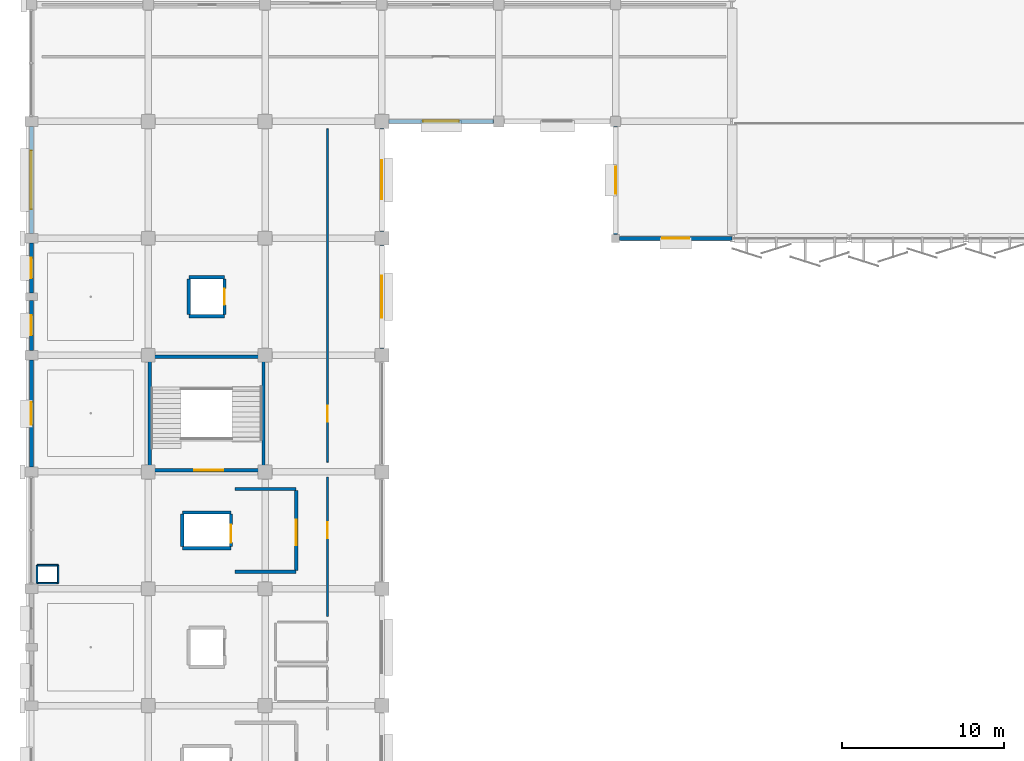
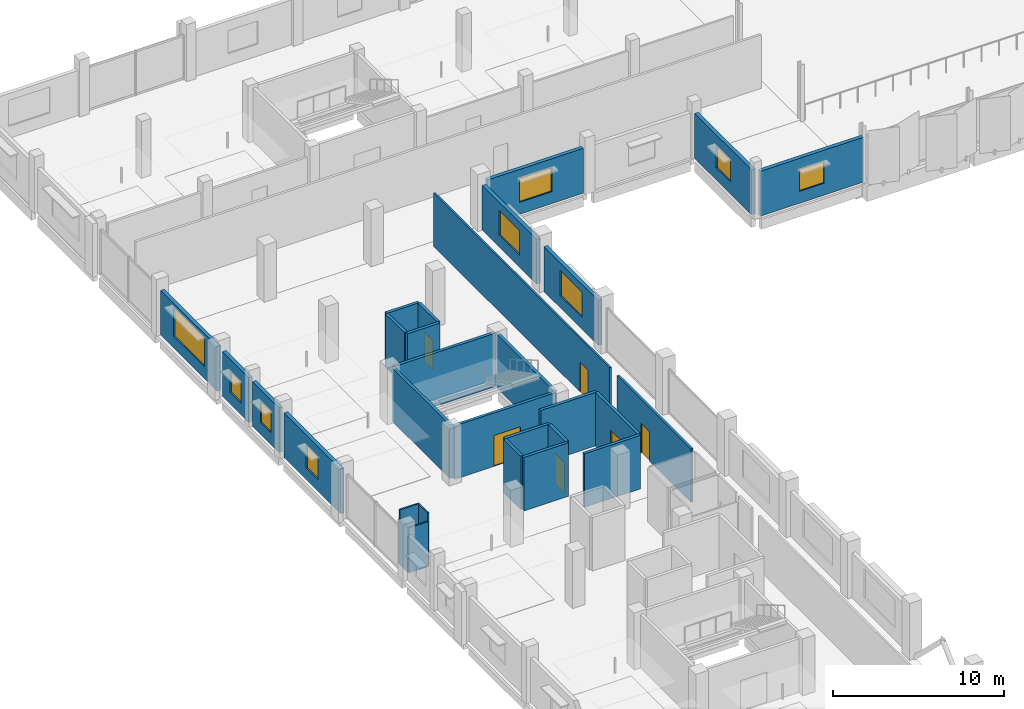
# One storey, part 80 of 107: 30 walls, 9 windows, 6 doors, 15 openings.
"""IFC4 building model written with IfcOpenShell, lengths in metres."""

from ifc_helpers import new_model, si_unit, direction, frame, frame_2d, origin, place, context, subcontext, project, spatial, rectangle, extrude, material, layer, layer_set, type_object, element, fill, save


model = new_model("IFC4")

# Units and contexts
model_context = context("Model", 3, precision=1e-05, world=origin(), true_north=direction((0.0, 1.0)))
body_context = subcontext(model_context, "Body", "Model", "MODEL_VIEW")
ifc_project = project(units=[si_unit("LENGTHUNIT", "METRE"), si_unit("AREAUNIT", "SQUARE_METRE"), si_unit("VOLUMEUNIT", "CUBIC_METRE"), si_unit("PLANEANGLEUNIT", "RADIAN"), si_unit("MASSUNIT", "GRAM", prefix="KILO")], contexts=[model_context])

# Site, building, storey
site_placement = place(None, origin())
site = spatial("IfcSite", under=ifc_project, at=site_placement, CompositionType="ELEMENT")
building_placement = place(site_placement, origin())
building = spatial("IfcBuilding", under=site, at=building_placement, Name="Kangsadwip Square Police Headquarters", CompositionType="ELEMENT")
storey_placement = place(building_placement, frame((0.0, 0.0, 5.39990234375)))
storey = spatial("IfcBuildingStorey", under=building, at=storey_placement, Name="L01", CompositionType="ELEMENT", Elevation=5.39990234375)

# Wall, opening, door
ifc_material_1 = material(Name="Fire-rated double gypsum board acoustic stud partition", Category="masonry")
ifc_layer_1 = layer(ifc_material_1, 0.1201171875)
ifc_layer_set_1 = layer_set([ifc_layer_1], Name="Fire-rated double gypsum board acoustic stud partition")
wall_type_1 = type_object("IfcWallType", Name="AcousticPartition120", PredefinedType="PARTITIONING", material=ifc_layer_set_1)
wall_1_placement = place(storey_placement, frame((18.25, 72.60009765625, 0.0), z_axis=(0.0, 0.0, 1.0), x_axis=(0.0, 1.0, 0.0)))
wall_1 = element("IfcWall", 1, at=wall_1_placement, inside=storey, type_object=wall_type_1, Name="Interior Wall WI-L01-0740", PredefinedType="PARTITIONING", context=body_context, shape_type="SweptSolid", body=[
    extrude(rectangle(XDim=20.5498046875, YDim=0.1201171875, at=frame_2d((10.27490234375, 0.0))), origin(), (0.0, 0.0, 1.0), 3.81005859375),
])
opening_1_placement = place(wall_1_placement, frame((2.508056640625, 0.0, 0.0)))
opening_1 = element("IfcOpeningElement", 2, at=opening_1_placement, cuts=wall_1, Name="Opening ID-09A", PredefinedType="OPENING", context=body_context, shape_type="SweptSolid", body=[
    extrude(rectangle(XDim=0.97998046875, YDim=2.10009765625, at=frame_2d((0.489990234375, 1.050048828125))), frame((0.0, 0.070068359375, 0.0), z_axis=(0.0, -1.0, 0.0), x_axis=(1.0, 0.0, 0.0)), (0.0, 0.0, 1.0), 0.14013671875),
])
ifc_material_2 = material(Name="Solid-core seasoned teak hardwood architectural door", Category="wood")
door_type_1 = type_object("IfcDoorType", Name="OfficeDoor980x2100", OperationType="NOTDEFINED", PredefinedType="DOOR", material=ifc_material_2)
door_1_placement = place(opening_1_placement, origin())
door_1 = element("IfcDoor", 3, at=door_1_placement, inside=storey, type_object=door_type_1, Name="Interior Door ID-L01-0169", OperationType="SINGLE_SWING_RIGHT", OverallHeight=2.10009765625, OverallWidth=0.97998046875, PredefinedType="DOOR", context=body_context, shape_type="SweptSolid", body=[
    extrude(rectangle(XDim=0.97998046875, YDim=2.10009765625, at=frame_2d((0.489990234375, 1.050048828125))), frame((0.0, 0.02490234375, 0.0), z_axis=(0.0, -1.0, 0.0), x_axis=(1.0, 0.0, 0.0)), (0.0, 0.0, 1.0), 0.050048828125),
])
fill(opening_1, door_1)

ifc_material_3 = material(Name="Autoclaved aerated concrete blockwork masonry", Category="masonry")
ifc_layer_2 = layer(ifc_material_3, 0.14990234375)
ifc_layer_set_2 = layer_set([ifc_layer_2], Name="Autoclaved aerated concrete blockwork masonry")
wall_type_2 = type_object("IfcWallType", Name="BlockPartition150", PredefinedType="PARTITIONING", material=ifc_layer_set_2)
wall_2_placement = place(storey_placement, frame((18.25, 63.080078125, 0.0), z_axis=(0.0, 0.0, 1.0), x_axis=(0.0, 1.0, 0.0)))
wall_2 = element("IfcWall", 4, at=wall_2_placement, inside=storey, type_object=wall_type_2, Name="Interior Wall WI-L01-0738", PredefinedType="PARTITIONING", context=body_context, shape_type="SweptSolid", body=[
    extrude(rectangle(XDim=8.619873046875, YDim=0.14990234375, at=frame_2d((4.31005859375, 0.0))), origin(), (0.0, 0.0, 1.0), 3.81005859375),
])
opening_2_placement = place(wall_2_placement, frame((4.826904296875, 0.0, 0.0)))
opening_2 = element("IfcOpeningElement", 5, at=opening_2_placement, cuts=wall_2, Name="Opening ID-10B", PredefinedType="OPENING", context=body_context, shape_type="SweptSolid", body=[
    extrude(rectangle(XDim=1.0, YDim=2.10009765625, at=frame_2d((0.5, 1.050048828125))), frame((0.0, 0.0849609375, 0.0), z_axis=(0.0, -1.0, 0.0), x_axis=(1.0, 0.0, 0.0)), (0.0, 0.0, 1.0), 0.169921875),
])
ifc_material_4 = material(Name="Solid-core seasoned teak hardwood architectural door", Category="wood")
door_type_2 = type_object("IfcDoorType", Name="OfficeDoor1000x2100", OperationType="NOTDEFINED", PredefinedType="DOOR", material=ifc_material_4)
door_2_placement = place(opening_2_placement, origin())
door_2 = element("IfcDoor", 6, at=door_2_placement, inside=storey, type_object=door_type_2, Name="Interior Door ID-L01-0168", OperationType="SINGLE_SWING_LEFT", OverallHeight=2.10009765625, OverallWidth=1.0, PredefinedType="DOOR", context=body_context, shape_type="SweptSolid", body=[
    extrude(rectangle(XDim=1.0, YDim=2.10009765625, at=frame_2d((0.5, 1.050048828125))), frame((0.0, 0.02490234375, 0.0), z_axis=(0.0, -1.0, 0.0), x_axis=(1.0, 0.0, 0.0)), (0.0, 0.0, 1.0), 0.050048828125),
])
fill(opening_2, door_2)

# Wall, opening, window
ifc_material_5 = material(Name="Glazed architectural terracotta masonry rainscreen", Category="masonry")
ifc_layer_3 = layer(ifc_material_5, 0.25)
ifc_layer_set_3 = layer_set([ifc_layer_3], Name="Glazed architectural terracotta masonry rainscreen")
wall_type_3 = type_object("IfcWallType", Name="ChicagoTerracottaWall250", PredefinedType="SOLIDWALL", material=ifc_layer_set_3)
wall_3_placement = place(storey_placement, frame((36.2451171875, 86.39990234375, 0.0), z_axis=(0.0, 0.0, 1.0), x_axis=(1.0, 0.0, 0.0)))
wall_3 = element("IfcWall", 7, at=wall_3_placement, inside=storey, type_object=wall_type_3, Name="Exterior Wall WE-L01-236", PredefinedType="SOLIDWALL", context=body_context, shape_type="SweptSolid", body=[
    extrude(rectangle(XDim=6.94482421875, YDim=0.25, at=frame_2d((3.472412109375, 0.0))), origin(), (0.0, 0.0, 1.0), 3.2001953125),
])
opening_3_placement = place(wall_3_placement, frame((2.6474609375, 0.0, 0.85009765625)))
opening_3 = element("IfcOpeningElement", 8, at=opening_3_placement, cuts=wall_3, Name="Opening WN-11", PredefinedType="OPENING", context=body_context, shape_type="SweptSolid", body=[
    extrude(rectangle(XDim=1.64990234375, YDim=1.550048828125, at=frame_2d((0.824951171875, 0.77490234375))), frame((0.0, 0.135009765625, 0.0), z_axis=(0.0, -1.0, 0.0), x_axis=(1.0, 0.0, 0.0)), (0.0, 0.0, 1.0), 0.27001953125),
])
ifc_material_6 = material(Name="Double-glazed solar-control low-E safety glass", Category="glass")
window_type_1 = type_object("IfcWindowType", Name="LabCleanViewWin1650x1550", PartitioningType="SINGLE_PANEL", PredefinedType="WINDOW", material=ifc_material_6)
window_1_placement = place(opening_3_placement, origin())
window_1 = element("IfcWindow", 9, at=window_1_placement, inside=storey, type_object=window_type_1, Name="Window WN-L01-0089", OverallHeight=1.550048828125, OverallWidth=1.64990234375, PartitioningType="SINGLE_PANEL", PredefinedType="WINDOW", context=body_context, shape_type="SweptSolid", body=[
    extrude(rectangle(XDim=1.64990234375, YDim=1.550048828125, at=frame_2d((0.824951171875, 0.77490234375))), frame((0.0, 0.030029296875, 0.0), z_axis=(0.0, -1.0, 0.0), x_axis=(1.0, 0.0, 0.0)), (0.0, 0.0, 1.0), 0.06005859375),
])
fill(opening_3, window_1)

wall_4_placement = place(storey_placement, frame((22.02001953125, 93.60009765625, 0.0), z_axis=(0.0, 0.0, 1.0), x_axis=(1.0, 0.0, 0.0)))
wall_4 = element("IfcWall", 10, at=wall_4_placement, inside=storey, type_object=wall_type_3, Name="Exterior Wall WE-L01-237", PredefinedType="SOLIDWALL", context=body_context, shape_type="SweptSolid", body=[
    extrude(rectangle(XDim=6.4599609375, YDim=0.25, at=frame_2d((3.22998046875, 0.0))), origin(), (0.0, 0.0, 1.0), 3.195068359375),
])
opening_4_placement = place(wall_4_placement, frame((2.1298828125, 0.0, 0.85009765625)))
opening_4 = element("IfcOpeningElement", 11, at=opening_4_placement, cuts=wall_4, Name="Opening WN-08", PredefinedType="OPENING", context=body_context, shape_type="SweptSolid", body=[
    extrude(rectangle(XDim=2.199951171875, YDim=1.699951171875, at=frame_2d((1.10009765625, 0.85009765625))), frame((0.0, 0.135009765625, 0.0), z_axis=(0.0, -1.0, 0.0), x_axis=(1.0, 0.0, 0.0)), (0.0, 0.0, 1.0), 0.27001953125),
])
ifc_material_7 = material(Name="Double-glazed solar-control low-E safety glass", Category="glass")
window_type_2 = type_object("IfcWindowType", Name="ChicagoDoubleMullWin2200x1700", PartitioningType="DOUBLE_PANEL_VERTICAL", PredefinedType="WINDOW", material=ifc_material_7)
window_2_placement = place(opening_4_placement, origin())
window_2 = element("IfcWindow", 12, at=window_2_placement, inside=storey, type_object=window_type_2, Name="Window WN-L01-0090", OverallHeight=1.699951171875, OverallWidth=2.199951171875, PartitioningType="SINGLE_PANEL", PredefinedType="WINDOW", context=body_context, shape_type="SweptSolid", body=[
    extrude(rectangle(XDim=2.199951171875, YDim=1.699951171875, at=frame_2d((1.10009765625, 0.85009765625))), frame((0.0, 0.030029296875, 0.0), z_axis=(0.0, -1.0, 0.0), x_axis=(1.0, 0.0, 0.0)), (0.0, 0.0, 1.0), 0.06005859375),
])
fill(opening_4, window_2)

wall_5_placement = place(storey_placement, frame((0.0, 72.294921875, 0.0), z_axis=(0.0, 0.0, 1.0), x_axis=(0.0, 1.0, 0.0)))
wall_5 = element("IfcWall", 13, at=wall_5_placement, inside=storey, type_object=wall_type_3, Name="Exterior Wall WE-L01-255", PredefinedType="SOLIDWALL", context=body_context, shape_type="SweptSolid", body=[
    extrude(rectangle(XDim=6.610107421875, YDim=0.25, at=frame_2d((3.30517578125, 0.0))), origin(), (0.0, 0.0, 1.0), 3.195068359375),
])
opening_5_placement = place(wall_5_placement, frame((2.60498046875, 0.0, 0.85009765625)))
opening_5 = element("IfcOpeningElement", 14, at=opening_5_placement, cuts=wall_5, Name="Opening WN-13", PredefinedType="OPENING", context=body_context, shape_type="SweptSolid", body=[
    extrude(rectangle(XDim=1.39990234375, YDim=1.60009765625, at=frame_2d((0.699951171875, 0.800048828125))), frame((0.0, 0.135009765625, 0.0), z_axis=(0.0, -1.0, 0.0), x_axis=(1.0, 0.0, 0.0)), (0.0, 0.0, 1.0), 0.27001953125),
])
ifc_material_8 = material(Name="Double-glazed solar-control low-E safety glass", Category="glass")
window_type_3 = type_object("IfcWindowType", Name="OfficeCasementWin1400x1600", PartitioningType="SINGLE_PANEL", PredefinedType="WINDOW", material=ifc_material_8)
window_3_placement = place(opening_5_placement, origin())
window_3 = element("IfcWindow", 15, at=window_3_placement, inside=storey, type_object=window_type_3, Name="Window WN-L01-0108", OverallHeight=1.60009765625, OverallWidth=1.39990234375, PartitioningType="SINGLE_PANEL", PredefinedType="WINDOW", context=body_context, shape_type="SweptSolid", body=[
    extrude(rectangle(XDim=1.39990234375, YDim=1.60009765625, at=frame_2d((0.699951171875, 0.800048828125))), frame((0.0, 0.030029296875, 0.0), z_axis=(0.0, -1.0, 0.0), x_axis=(1.0, 0.0, 0.0)), (0.0, 0.0, 1.0), 0.06005859375),
])
fill(opening_5, window_3)

wall_6_placement = place(storey_placement, frame((0.0, 79.4951171875, 0.0), z_axis=(0.0, 0.0, 1.0), x_axis=(0.0, 1.0, 0.0)))
wall_6 = element("IfcWall", 16, at=wall_6_placement, inside=storey, type_object=wall_type_3, Name="Exterior Wall WE-L01-256", PredefinedType="SOLIDWALL", context=body_context, shape_type="SweptSolid", body=[
    extrude(rectangle(XDim=3.0849609375, YDim=0.25, at=frame_2d((1.54248046875, 0.0))), origin(), (0.0, 0.0, 1.0), 3.195068359375),
])
opening_6_placement = place(wall_6_placement, frame((0.91748046875, 0.0, 0.85009765625)))
opening_6 = element("IfcOpeningElement", 17, at=opening_6_placement, cuts=wall_6, Name="Opening WN-14", PredefinedType="OPENING", context=body_context, shape_type="SweptSolid", body=[
    extrude(rectangle(XDim=1.25, YDim=1.5, at=frame_2d((0.625, 0.75))), frame((0.0, 0.135009765625, 0.0), z_axis=(0.0, -1.0, 0.0), x_axis=(1.0, 0.0, 0.0)), (0.0, 0.0, 1.0), 0.27001953125),
])
ifc_material_9 = material(Name="Double-glazed solar-control low-E safety glass", Category="glass")
window_type_4 = type_object("IfcWindowType", Name="OfficeCasementWin1250x1500", PartitioningType="SINGLE_PANEL", PredefinedType="WINDOW", material=ifc_material_9)
window_4_placement = place(opening_6_placement, origin())
window_4 = element("IfcWindow", 18, at=window_4_placement, inside=storey, type_object=window_type_4, Name="Window WN-L01-0109", OverallHeight=1.5, OverallWidth=1.25, PartitioningType="SINGLE_PANEL", PredefinedType="WINDOW", context=body_context, shape_type="SweptSolid", body=[
    extrude(rectangle(XDim=1.25, YDim=1.5, at=frame_2d((0.625, 0.75))), frame((0.0, 0.030029296875, 0.0), z_axis=(0.0, -1.0, 0.0), x_axis=(1.0, 0.0, 0.0)), (0.0, 0.0, 1.0), 0.06005859375),
])
fill(opening_6, window_4)

wall_7_placement = place(storey_placement, frame((0.0, 83.02001953125, 0.0), z_axis=(0.0, 0.0, 1.0), x_axis=(0.0, 1.0, 0.0)))
wall_7 = element("IfcWall", 19, at=wall_7_placement, inside=storey, type_object=wall_type_3, Name="Exterior Wall WE-L01-257", PredefinedType="SOLIDWALL", context=body_context, shape_type="SweptSolid", body=[
    extrude(rectangle(XDim=3.0849609375, YDim=0.25, at=frame_2d((1.54248046875, 0.0))), origin(), (0.0, 0.0, 1.0), 3.195068359375),
])
opening_7_placement = place(wall_7_placement, frame((0.91748046875, 0.0, 0.85009765625)))
opening_7 = element("IfcOpeningElement", 20, at=opening_7_placement, cuts=wall_7, Name="Opening WN-14", PredefinedType="OPENING", context=body_context, shape_type="SweptSolid", body=[
    extrude(rectangle(XDim=1.25, YDim=1.5, at=frame_2d((0.625, 0.75))), frame((0.0, 0.135009765625, 0.0), z_axis=(0.0, -1.0, 0.0), x_axis=(1.0, 0.0, 0.0)), (0.0, 0.0, 1.0), 0.27001953125),
])
window_5_placement = place(opening_7_placement, origin())
window_5 = element("IfcWindow", 21, at=window_5_placement, inside=storey, type_object=window_type_4, Name="Window WN-L01-0110", OverallHeight=1.5, OverallWidth=1.25, PartitioningType="SINGLE_PANEL", PredefinedType="WINDOW", context=body_context, shape_type="SweptSolid", body=[
    extrude(rectangle(XDim=1.25, YDim=1.5, at=frame_2d((0.625, 0.75))), frame((0.0, 0.030029296875, 0.0), z_axis=(0.0, -1.0, 0.0), x_axis=(1.0, 0.0, 0.0)), (0.0, 0.0, 1.0), 0.06005859375),
])
fill(opening_7, window_5)

wall_8_placement = place(storey_placement, frame((0.0, 86.695068359375, 0.0), z_axis=(0.0, 0.0, 1.0), x_axis=(0.0, 1.0, 0.0)))
wall_8 = element("IfcWall", 22, at=wall_8_placement, inside=storey, type_object=wall_type_3, Name="Exterior Wall WE-L01-258", PredefinedType="SOLIDWALL", context=body_context, shape_type="SweptSolid", body=[
    extrude(rectangle(XDim=6.60986328125, YDim=0.25, at=frame_2d((3.304931640625, 0.0))), origin(), (0.0, 0.0, 1.0), 3.195068359375),
])
opening_8_placement = place(wall_8_placement, frame((1.5048828125, 0.0, 0.85009765625)))
opening_8 = element("IfcOpeningElement", 23, at=opening_8_placement, cuts=wall_8, Name="Opening WN-01", PredefinedType="OPENING", context=body_context, shape_type="SweptSolid", body=[
    extrude(rectangle(XDim=3.60009765625, YDim=2.050048828125, at=frame_2d((1.800048828125, 1.02490234375))), frame((0.0, 0.135009765625, 0.0), z_axis=(0.0, -1.0, 0.0), x_axis=(1.0, 0.0, 0.0)), (0.0, 0.0, 1.0), 0.27001953125),
])
ifc_material_10 = material(Name="Double-glazed solar-control low-E safety glass", Category="glass")
window_type_5 = type_object("IfcWindowType", Name="ChicagoTripartiteWin3600x2050", PartitioningType="TRIPLE_PANEL_HORIZONTAL", PredefinedType="WINDOW", material=ifc_material_10)
window_6_placement = place(opening_8_placement, origin())
window_6 = element("IfcWindow", 24, at=window_6_placement, inside=storey, type_object=window_type_5, Name="Window WN-L01-0111", OverallHeight=2.050048828125, OverallWidth=3.60009765625, PartitioningType="SINGLE_PANEL", PredefinedType="WINDOW", context=body_context, shape_type="SweptSolid", body=[
    extrude(rectangle(XDim=3.60009765625, YDim=2.050048828125, at=frame_2d((1.800048828125, 1.02490234375))), frame((0.0, 0.030029296875, 0.0), z_axis=(0.0, -1.0, 0.0), x_axis=(1.0, 0.0, 0.0)), (0.0, 0.0, 1.0), 0.06005859375),
])
fill(opening_8, window_6)

wall_9_placement = place(storey_placement, frame((21.60009765625, 79.6201171875, 0.0), z_axis=(0.0, 0.0, 1.0), x_axis=(0.0, 1.0, 0.0)))
wall_9 = element("IfcWall", 25, at=wall_9_placement, inside=storey, type_object=wall_type_3, Name="Exterior Wall WE-L01-266", PredefinedType="SOLIDWALL", context=body_context, shape_type="SweptSolid", body=[
    extrude(rectangle(XDim=6.35986328125, YDim=0.25, at=frame_2d((3.179931640625, 0.0))), origin(), (0.0, 0.0, 1.0), 3.195068359375),
])
opening_9_placement = place(wall_9_placement, frame((1.8798828125, 0.0, 0.85009765625)))
opening_9 = element("IfcOpeningElement", 26, at=opening_9_placement, cuts=wall_9, Name="Opening WN-06", PredefinedType="OPENING", context=body_context, shape_type="SweptSolid", body=[
    extrude(rectangle(XDim=2.60009765625, YDim=1.800048828125, at=frame_2d((1.300048828125, 0.89990234375))), frame((0.0, 0.135009765625, 0.0), z_axis=(0.0, -1.0, 0.0), x_axis=(1.0, 0.0, 0.0)), (0.0, 0.0, 1.0), 0.27001953125),
])
ifc_material_11 = material(Name="Double-glazed solar-control low-E safety glass", Category="glass")
window_type_6 = type_object("IfcWindowType", Name="ChicagoDoubleMullWin2600x1800", PartitioningType="DOUBLE_PANEL_VERTICAL", PredefinedType="WINDOW", material=ifc_material_11)
window_7_placement = place(opening_9_placement, origin())
window_7 = element("IfcWindow", 27, at=window_7_placement, inside=storey, type_object=window_type_6, Name="Window WN-L01-0119", OverallHeight=1.800048828125, OverallWidth=2.60009765625, PartitioningType="SINGLE_PANEL", PredefinedType="WINDOW", context=body_context, shape_type="SweptSolid", body=[
    extrude(rectangle(XDim=2.60009765625, YDim=1.800048828125, at=frame_2d((1.300048828125, 0.89990234375))), frame((0.0, 0.030029296875, 0.0), z_axis=(0.0, -1.0, 0.0), x_axis=(1.0, 0.0, 0.0)), (0.0, 0.0, 1.0), 0.06005859375),
])
fill(opening_9, window_7)

wall_10_placement = place(storey_placement, frame((21.60009765625, 86.820068359375, 0.0), z_axis=(0.0, 0.0, 1.0), x_axis=(0.0, 1.0, 0.0)))
wall_10 = element("IfcWall", 28, at=wall_10_placement, inside=storey, type_object=wall_type_3, Name="Exterior Wall WE-L01-267", PredefinedType="SOLIDWALL", context=body_context, shape_type="SweptSolid", body=[
    extrude(rectangle(XDim=6.35986328125, YDim=0.25, at=frame_2d((3.179931640625, 0.0))), origin(), (0.0, 0.0, 1.0), 3.195068359375),
])
opening_10_placement = place(wall_10_placement, frame((1.97998046875, 0.0, 0.85009765625)))
opening_10 = element("IfcOpeningElement", 29, at=opening_10_placement, cuts=wall_10, Name="Opening WN-07", PredefinedType="OPENING", context=body_context, shape_type="SweptSolid", body=[
    extrude(rectangle(XDim=2.39990234375, YDim=1.75, at=frame_2d((1.199951171875, 0.875))), frame((0.0, 0.135009765625, 0.0), z_axis=(0.0, -1.0, 0.0), x_axis=(1.0, 0.0, 0.0)), (0.0, 0.0, 1.0), 0.27001953125),
])
ifc_material_12 = material(Name="Double-glazed solar-control low-E safety glass", Category="glass")
window_type_7 = type_object("IfcWindowType", Name="ChicagoDoubleMullWin2400x1750", PartitioningType="DOUBLE_PANEL_VERTICAL", PredefinedType="WINDOW", material=ifc_material_12)
window_8_placement = place(opening_10_placement, origin())
window_8 = element("IfcWindow", 30, at=window_8_placement, inside=storey, type_object=window_type_7, Name="Window WN-L01-0120", OverallHeight=1.75, OverallWidth=2.39990234375, PartitioningType="SINGLE_PANEL", PredefinedType="WINDOW", context=body_context, shape_type="SweptSolid", body=[
    extrude(rectangle(XDim=2.39990234375, YDim=1.75, at=frame_2d((1.199951171875, 0.875))), frame((0.0, 0.030029296875, 0.0), z_axis=(0.0, -1.0, 0.0), x_axis=(1.0, 0.0, 0.0)), (0.0, 0.0, 1.0), 0.06005859375),
])
fill(opening_10, window_8)

wall_11_placement = place(storey_placement, frame((36.0, 86.64501953125, 0.0), z_axis=(0.0, 0.0, 1.0), x_axis=(0.0, 1.0, 0.0)))
wall_11 = element("IfcWall", 31, at=wall_11_placement, inside=storey, type_object=wall_type_3, Name="Exterior Wall WE-L01-270", PredefinedType="SOLIDWALL", context=body_context, shape_type="SweptSolid", body=[
    extrude(rectangle(XDim=6.659912109375, YDim=0.25, at=frame_2d((3.330078125, 0.0))), origin(), (0.0, 0.0, 1.0), 3.2001953125),
])
opening_11_placement = place(wall_11_placement, frame((2.5048828125, 0.0, 0.85009765625)))
opening_11 = element("IfcOpeningElement", 32, at=opening_11_placement, cuts=wall_11, Name="Opening WN-11", PredefinedType="OPENING", context=body_context, shape_type="SweptSolid", body=[
    extrude(rectangle(XDim=1.64990234375, YDim=1.550048828125, at=frame_2d((0.824951171875, 0.77490234375))), frame((0.0, 0.135009765625, 0.0), z_axis=(0.0, -1.0, 0.0), x_axis=(1.0, 0.0, 0.0)), (0.0, 0.0, 1.0), 0.27001953125),
])
window_9_placement = place(opening_11_placement, origin())
window_9 = element("IfcWindow", 33, at=window_9_placement, inside=storey, type_object=window_type_1, Name="Window WN-L01-0123", OverallHeight=1.550048828125, OverallWidth=1.64990234375, PartitioningType="SINGLE_PANEL", PredefinedType="WINDOW", context=body_context, shape_type="SweptSolid", body=[
    extrude(rectangle(XDim=1.64990234375, YDim=1.550048828125, at=frame_2d((0.824951171875, 0.77490234375))), frame((0.0, 0.030029296875, 0.0), z_axis=(0.0, -1.0, 0.0), x_axis=(1.0, 0.0, 0.0)), (0.0, 0.0, 1.0), 0.06005859375),
])
fill(opening_11, window_9)

# Wall, opening, door
ifc_material_13 = material(Name="Concrete M40 (40 MPa)", Category="concrete")
ifc_layer_4 = layer(ifc_material_13, 0.199951171875)
ifc_layer_set_4 = layer_set([ifc_layer_4], Name="Concrete M40 (40 MPa)")
wall_type_4 = type_object("IfcWallType", Name="CoreShearWall200", PredefinedType="SHEAR", material=ifc_layer_set_4)
wall_12_placement = place(storey_placement, frame((7.39990234375, 72.10009765625, 0.0), z_axis=(0.0, 0.0, 1.0), x_axis=(1.0, 0.0, 0.0)))
wall_12 = element("IfcWall", 34, at=wall_12_placement, inside=storey, type_object=wall_type_4, Name="Interior Wall WI-L01-0057", PredefinedType="SHEAR", context=body_context, shape_type="SweptSolid", body=[
    extrude(rectangle(XDim=6.800048828125, YDim=0.199951171875, at=frame_2d((3.39990234375, 0.0))), origin(), (0.0, 0.0, 1.0), 3.81005859375),
])
opening_12_placement = place(wall_12_placement, frame((2.632080078125, 0.0, 0.0)))
opening_12 = element("IfcOpeningElement", 35, at=opening_12_placement, cuts=wall_12, Name="Opening FD-18", PredefinedType="OPENING", context=body_context, shape_type="SweptSolid", body=[
    extrude(rectangle(XDim=1.800048828125, YDim=2.199951171875, at=frame_2d((0.89990234375, 1.10009765625))), frame((0.0, 0.10986328125, 0.0), z_axis=(0.0, -1.0, 0.0), x_axis=(1.0, 0.0, 0.0)), (0.0, 0.0, 1.0), 0.219970703125),
])
ifc_material_14 = material(Name="Insulated galvanized steel fire-rated door assembly", Category="steel")
door_type_3 = type_object("IfcDoorType", Name="StairFireDoor1800x2200", OperationType="DOUBLE_DOOR_SINGLE_SWING", PredefinedType="DOOR", material=ifc_material_14)
door_3_placement = place(opening_12_placement, origin())
door_3 = element("IfcDoor", 36, at=door_3_placement, inside=storey, type_object=door_type_3, Name="Interior Door ID-L01-0012", OperationType="DOUBLE_DOOR_SINGLE_SWING", OverallHeight=2.199951171875, OverallWidth=1.800048828125, PredefinedType="DOOR", context=body_context, shape_type="SweptSolid", body=[
    extrude(rectangle(XDim=1.800048828125, YDim=2.199951171875, at=frame_2d((0.89990234375, 1.10009765625))), frame((0.0, 0.02490234375, 0.0), z_axis=(0.0, -1.0, 0.0), x_axis=(1.0, 0.0, 0.0)), (0.0, 0.0, 1.0), 0.050048828125),
])
fill(opening_12, door_3)

# Walls
for number, where, z_axis, x_axis, name in (
    (37, (7.39990234375, 79.10009765625, 0.0), (0.0, 0.0, 1.0), (1.0, 0.0, 0.0), "Interior Wall WI-L01-0058"),
    (38, (7.300048828125, 72.199951171875, 0.0), (0.0, 0.0, 1.0), (0.0, 1.0, 0.0), "Interior Wall WI-L01-0059"),
    (39, (14.300048828125, 72.199951171875, 0.0), (0.0, 0.0, 1.0), (0.0, 1.0, 0.0), "Interior Wall WI-L01-0060"),
):
    element("IfcWall", number, at=place(storey_placement, frame(where, z_axis=z_axis, x_axis=x_axis)), inside=storey, type_object=wall_type_4, Name=name, PredefinedType="SHEAR", context=body_context, shape_type="SweptSolid", body=[
        extrude(rectangle(XDim=6.800048828125, YDim=0.199951171875, at=frame_2d((3.39990234375, 0.0))), origin(), (0.0, 0.0, 1.0), 3.81005859375),
    ])
for number, where, z_axis, x_axis, name in (
    (40, (9.300048828125, 67.300048828125, 0.0), (0.0, 0.0, 1.0), (1.0, 0.0, 0.0), "Interior Wall WI-L01-0279"),
    (41, (9.300048828125, 69.5, 0.0), (0.0, 0.0, 1.0), (1.0, 0.0, 0.0), "Interior Wall WI-L01-0280"),
):
    element("IfcWall", number, at=place(storey_placement, frame(where, z_axis=z_axis, x_axis=x_axis)), inside=storey, type_object=wall_type_4, Name=name, PredefinedType="SHEAR", context=body_context, shape_type="SweptSolid", body=[
        extrude(rectangle(XDim=3.0, YDim=0.199951171875, at=frame_2d((1.5, 0.0))), origin(), (0.0, 0.0, 1.0), 3.81005859375),
    ])
wall_13_placement = place(storey_placement, frame((9.300048828125, 67.39990234375, 0.0), z_axis=(0.0, 0.0, 1.0), x_axis=(0.0, 1.0, 0.0)))
element("IfcWall", 42, at=wall_13_placement, inside=storey, type_object=wall_type_4, Name="Interior Wall WI-L01-0281", PredefinedType="SHEAR", context=body_context, shape_type="SweptSolid", body=[
    extrude(rectangle(XDim=2.0, YDim=0.199951171875, at=frame_2d((1.0, 0.0))), origin(), (0.0, 0.0, 1.0), 3.81005859375),
])

# Wall, opening, door
wall_14_placement = place(storey_placement, frame((12.300048828125, 67.39990234375, 0.0), z_axis=(0.0, 0.0, 1.0), x_axis=(0.0, 1.0, 0.0)))
wall_14 = element("IfcWall", 43, at=wall_14_placement, inside=storey, type_object=wall_type_4, Name="Interior Wall WI-L01-0282", PredefinedType="SHEAR", context=body_context, shape_type="SweptSolid", body=[
    extrude(rectangle(XDim=2.0, YDim=0.199951171875, at=frame_2d((1.0, 0.0))), origin(), (0.0, 0.0, 1.0), 3.81005859375),
])
opening_13_placement = place(wall_14_placement, frame((0.25, 0.0, 0.0)))
opening_13 = element("IfcOpeningElement", 44, at=opening_13_placement, cuts=wall_14, Name="Opening LD-012", PredefinedType="OPENING", context=body_context, shape_type="SweptSolid", body=[
    extrude(rectangle(XDim=1.10009765625, YDim=2.14990234375, at=frame_2d((0.550048828125, 1.074951171875))), frame((0.0, 0.10986328125, 0.0), z_axis=(0.0, -1.0, 0.0), x_axis=(1.0, 0.0, 0.0)), (0.0, 0.0, 1.0), 0.219970703125),
])
ifc_material_15 = material(Name="Brushed stainless steel automatic sliding lift landing door", Category="steel")
door_type_4 = type_object("IfcDoorType", Name="LiftLandingDoor1100x2150", OperationType="DOUBLE_DOOR_SLIDING", PredefinedType="DOOR", material=ifc_material_15)
door_4_placement = place(opening_13_placement, origin())
door_4 = element("IfcDoor", 45, at=door_4_placement, inside=storey, type_object=door_type_4, Name="Interior Door LD-012", OperationType="DOUBLE_DOOR_SLIDING", OverallHeight=2.14990234375, OverallWidth=1.10009765625, PredefinedType="DOOR", context=body_context, shape_type="SweptSolid", body=[
    extrude(rectangle(XDim=1.10009765625, YDim=2.14990234375, at=frame_2d((0.550048828125, 1.074951171875))), frame((0.0, 0.02490234375, 0.0), z_axis=(0.0, -1.0, 0.0), x_axis=(1.0, 0.0, 0.0)), (0.0, 0.0, 1.0), 0.050048828125),
])
fill(opening_13, door_4)

# Walls
for number, where, z_axis, x_axis, name in (
    (46, (9.699951171875, 81.60009765625, 0.0), (0.0, 0.0, 1.0), (1.0, 0.0, 0.0), "Interior Wall WI-L01-0395"),
    (47, (9.699951171875, 84.0, 0.0), (0.0, 0.0, 1.0), (1.0, 0.0, 0.0), "Interior Wall WI-L01-0396"),
    (48, (9.699951171875, 81.699951171875, 0.0), (0.0, 0.0, 1.0), (0.0, 1.0, 0.0), "Interior Wall WI-L01-0397"),
):
    element("IfcWall", number, at=place(storey_placement, frame(where, z_axis=z_axis, x_axis=x_axis)), inside=storey, type_object=wall_type_4, Name=name, PredefinedType="SHEAR", context=body_context, shape_type="SweptSolid", body=[
        extrude(rectangle(XDim=2.199951171875, YDim=0.199951171875, at=frame_2d((1.10009765625, 0.0))), origin(), (0.0, 0.0, 1.0), 3.81005859375),
    ])

# Wall, opening, door
wall_15_placement = place(storey_placement, frame((11.89990234375, 81.699951171875, 0.0), z_axis=(0.0, 0.0, 1.0), x_axis=(0.0, 1.0, 0.0)))
wall_15 = element("IfcWall", 49, at=wall_15_placement, inside=storey, type_object=wall_type_4, Name="Interior Wall WI-L01-0398", PredefinedType="SHEAR", context=body_context, shape_type="SweptSolid", body=[
    extrude(rectangle(XDim=2.199951171875, YDim=0.199951171875, at=frame_2d((1.10009765625, 0.0))), origin(), (0.0, 0.0, 1.0), 3.81005859375),
])
opening_14_placement = place(wall_15_placement, frame((0.60009765625, 0.0, 0.0)))
opening_14 = element("IfcOpeningElement", 50, at=opening_14_placement, cuts=wall_15, Name="Opening LD-038", PredefinedType="OPENING", context=body_context, shape_type="SweptSolid", body=[
    extrude(rectangle(XDim=1.0, YDim=2.10009765625, at=frame_2d((0.5, 1.050048828125))), frame((0.0, 0.10986328125, 0.0), z_axis=(0.0, -1.0, 0.0), x_axis=(1.0, 0.0, 0.0)), (0.0, 0.0, 1.0), 0.219970703125),
])
ifc_material_16 = material(Name="Brushed stainless steel automatic sliding lift landing door", Category="steel")
door_type_5 = type_object("IfcDoorType", Name="LiftLandingDoor1000x2100", OperationType="DOUBLE_DOOR_SLIDING", PredefinedType="DOOR", material=ifc_material_16)
door_5_placement = place(opening_14_placement, origin())
door_5 = element("IfcDoor", 51, at=door_5_placement, inside=storey, type_object=door_type_5, Name="Interior Door LD-038", OperationType="DOUBLE_DOOR_SLIDING", OverallHeight=2.10009765625, OverallWidth=1.0, PredefinedType="DOOR", context=body_context, shape_type="SweptSolid", body=[
    extrude(rectangle(XDim=1.0, YDim=2.10009765625, at=frame_2d((0.5, 1.050048828125))), frame((0.0, 0.02490234375, 0.0), z_axis=(0.0, -1.0, 0.0), x_axis=(1.0, 0.0, 0.0)), (0.0, 0.0, 1.0), 0.050048828125),
])
fill(opening_14, door_5)

ifc_material_17 = material(Name="Concrete M40 (40 MPa)", Category="concrete")
ifc_layer_5 = layer(ifc_material_17, 0.199951171875)
ifc_layer_set_5 = layer_set([ifc_layer_5], Name="Concrete M40 (40 MPa)")
wall_type_5 = type_object("IfcWallType", Name="CustodySecurityWall200", PredefinedType="SOLIDWALL", material=ifc_layer_set_5)
wall_16_placement = place(storey_placement, frame((16.320068359375, 65.929931640625, 0.0), z_axis=(0.0, 0.0, 1.0), x_axis=(0.0, 1.0, 0.0)))
wall_16 = element("IfcWall", 52, at=wall_16_placement, inside=storey, type_object=wall_type_5, Name="Interior Wall WI-L01-0712", PredefinedType="SOLIDWALL", context=body_context, shape_type="SweptSolid", body=[
    extrude(rectangle(XDim=4.940185546875, YDim=0.199951171875, at=frame_2d((2.47021484375, 0.0))), origin(), (0.0, 0.0, 1.0), 3.81005859375),
])
opening_15_placement = place(wall_16_placement, frame((1.541015625, 0.0, 0.0)))
opening_15 = element("IfcOpeningElement", 53, at=opening_15_placement, cuts=wall_16, Name="Opening FD-16", PredefinedType="OPENING", context=body_context, shape_type="SweptSolid", body=[
    extrude(rectangle(XDim=1.60009765625, YDim=2.199951171875, at=frame_2d((0.800048828125, 1.10009765625))), frame((0.0, 0.10986328125, 0.0), z_axis=(0.0, -1.0, 0.0), x_axis=(1.0, 0.0, 0.0)), (0.0, 0.0, 1.0), 0.219970703125),
])
ifc_material_18 = material(Name="Insulated galvanized steel fire-rated door assembly", Category="steel")
door_type_6 = type_object("IfcDoorType", Name="FfLobbyFireDoor1600x2200", OperationType="DOUBLE_DOOR_SINGLE_SWING", PredefinedType="DOOR", material=ifc_material_18)
door_6_placement = place(opening_15_placement, origin())
door_6 = element("IfcDoor", 54, at=door_6_placement, inside=storey, type_object=door_type_6, Name="Interior Door ID-L01-0155", OperationType="DOUBLE_DOOR_SINGLE_SWING", OverallHeight=2.199951171875, OverallWidth=1.60009765625, PredefinedType="DOOR", context=body_context, shape_type="SweptSolid", body=[
    extrude(rectangle(XDim=1.60009765625, YDim=2.199951171875, at=frame_2d((0.800048828125, 1.10009765625))), frame((0.0, 0.02490234375, 0.0), z_axis=(0.0, -1.0, 0.0), x_axis=(1.0, 0.0, 0.0)), (0.0, 0.0, 1.0), 0.050048828125),
])
fill(opening_15, door_6)

# Walls
for number, where, z_axis, x_axis, name in (
    (55, (12.5400390625, 65.85009765625, 0.0), (0.0, 0.0, 1.0), (1.0, 0.0, 0.0), "Interior Wall WI-L01-0713"),
    (56, (12.5400390625, 70.949951171875, 0.0), (0.0, 0.0, 1.0), (1.0, 0.0, 0.0), "Interior Wall WI-L01-0714"),
):
    element("IfcWall", number, at=place(storey_placement, frame(where, z_axis=z_axis, x_axis=x_axis)), inside=storey, type_object=wall_type_5, Name=name, PredefinedType="SOLIDWALL", context=body_context, shape_type="SweptSolid", body=[
        extrude(rectangle(XDim=3.780029296875, YDim=0.199951171875, at=frame_2d((1.89013671875, 0.0))), origin(), (0.0, 0.0, 1.0), 3.81005859375),
    ])
ifc_material_19 = material(Name="Autoclaved aerated concrete blockwork masonry", Category="masonry")
ifc_layer_6 = layer(ifc_material_19, 0.10009765625)
ifc_layer_set_6 = layer_set([ifc_layer_6], Name="Autoclaved aerated concrete blockwork masonry")
wall_type_6 = type_object("IfcWallType", Name="WetWallPartition100", PredefinedType="PARTITIONING", material=ifc_layer_set_6)
wall_17_placement = place(storey_placement, frame((0.35009765625, 65.14990234375, 0.0), z_axis=(0.0, 0.0, 1.0), x_axis=(1.0, 0.0, 0.0)))
element("IfcWall", 57, at=wall_17_placement, inside=storey, type_object=wall_type_6, Name="Interior Wall WI-L01-0551", PredefinedType="PARTITIONING", context=body_context, shape_type="SweptSolid", body=[
    extrude(rectangle(XDim=1.2998046875, YDim=0.10009765625, at=frame_2d((0.64990234375, 0.0))), origin(), (0.0, 0.0, 1.0), 3.2001953125),
])
wall_18_placement = place(storey_placement, frame((0.35009765625, 66.25, 0.0), z_axis=(0.0, 0.0, 1.0), x_axis=(1.0, 0.0, 0.0)))
element("IfcWall", 58, at=wall_18_placement, inside=storey, type_object=wall_type_6, Name="Interior Wall WI-L01-0552", PredefinedType="PARTITIONING", context=body_context, shape_type="SweptSolid", body=[
    extrude(rectangle(XDim=1.2998046875, YDim=0.10009765625, at=frame_2d((0.64990234375, 0.0))), origin(), (0.0, 0.0, 1.0), 3.81005859375),
])
wall_19_placement = place(storey_placement, frame((0.35009765625, 65.14990234375, 0.0), z_axis=(0.0, 0.0, 1.0), x_axis=(0.0, 1.0, 0.0)))
element("IfcWall", 59, at=wall_19_placement, inside=storey, type_object=wall_type_6, Name="Interior Wall WI-L01-0553", PredefinedType="PARTITIONING", context=body_context, shape_type="SweptSolid", body=[
    extrude(rectangle(XDim=1.10009765625, YDim=0.10009765625, at=frame_2d((0.550048828125, 0.0))), origin(), (0.0, 0.0, 1.0), 3.2001953125),
])
wall_20_placement = place(storey_placement, frame((1.64990234375, 65.14990234375, 0.0), z_axis=(0.0, 0.0, 1.0), x_axis=(0.0, 1.0, 0.0)))
element("IfcWall", 60, at=wall_20_placement, inside=storey, type_object=wall_type_6, Name="Interior Wall WI-L01-0554", PredefinedType="PARTITIONING", context=body_context, shape_type="SweptSolid", body=[
    extrude(rectangle(XDim=1.10009765625, YDim=0.10009765625, at=frame_2d((0.550048828125, 0.0))), origin(), (0.0, 0.0, 1.0), 3.81005859375),
])

save(model, "model.ifc")
